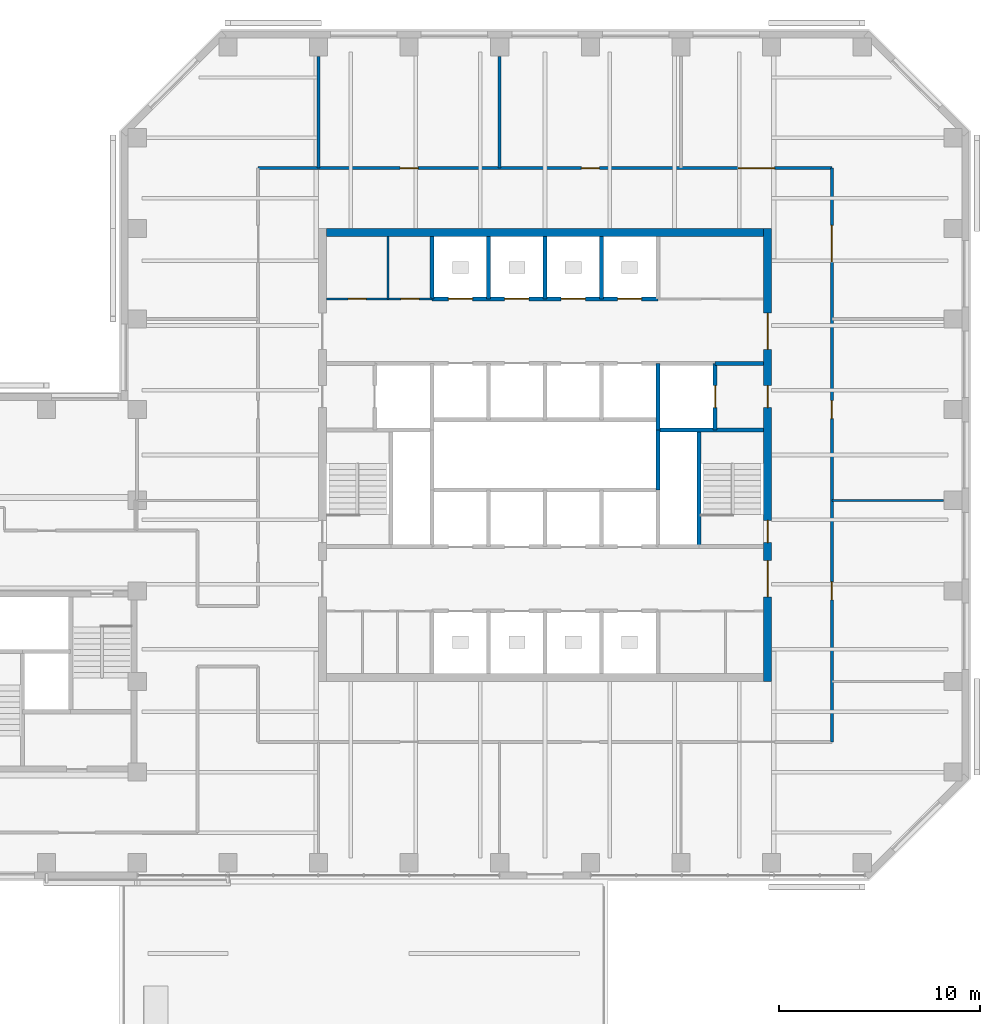
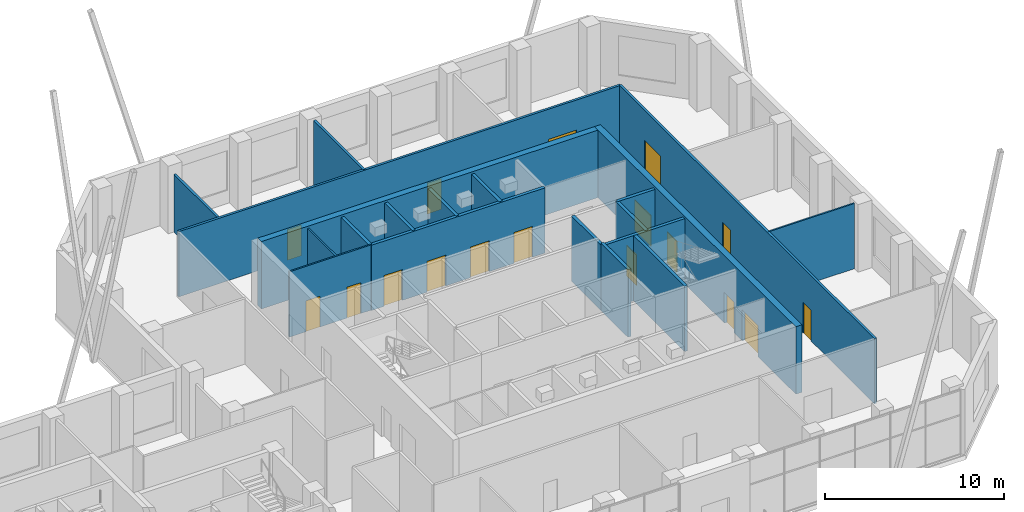
# One storey, part 10 of 14: 20 walls, 17 doors, 17 openings.
"""IFC4 building model written with IfcOpenShell, lengths in metres."""

from ifc_helpers import new_model, si_unit, direction, frame, frame_2d, origin, place, context, subcontext, project, spatial, rectangle, extrude, material, layer, layer_set, type_object, element, fill, save


model = new_model("IFC4")

# Units and contexts
model_context = context("Model", 3, precision=1e-05, world=origin(), true_north=direction((0.0, 1.0)))
body_context = subcontext(model_context, "Body", "Model", "MODEL_VIEW")
ifc_project = project(units=[si_unit("LENGTHUNIT", "METRE"), si_unit("AREAUNIT", "SQUARE_METRE"), si_unit("VOLUMEUNIT", "CUBIC_METRE"), si_unit("PLANEANGLEUNIT", "RADIAN"), si_unit("MASSUNIT", "GRAM", prefix="KILO")], contexts=[model_context])

# Site, building, storey
site_placement = place(None, origin())
site = spatial("IfcSite", under=ifc_project, at=site_placement, CompositionType="ELEMENT")
building_placement = place(site_placement, origin())
building = spatial("IfcBuilding", under=site, at=building_placement, Name="Quoin Convention Tower", CompositionType="ELEMENT")
storey_placement = place(building_placement, frame((0.0, 0.0, 143.10009765625)))
storey = spatial("IfcBuildingStorey", under=building, at=storey_placement, Name="L37", CompositionType="ELEMENT", Elevation=143.10009765625)

# Wall, openings, doors
ifc_material_1 = material(Name="Plasterboard")
ifc_layer_1 = layer(ifc_material_1, 0.012451171875, Name="Finish")
ifc_material_2 = material(Name="Steel stud framing", Category="steel")
ifc_layer_2 = layer(ifc_material_2, 0.074951171875, Name="Structure")
ifc_layer_3 = layer(ifc_material_1, 0.012451171875, Name="Finish")
ifc_layer_set_1 = layer_set([ifc_layer_1, ifc_layer_2, ifc_layer_3], Name="Steel stud framing")
wall_type_1 = type_object("IfcWallType", Name="Core partition wall", PredefinedType="PARTITIONING", material=ifc_layer_set_1)
wall_1_placement = place(storey_placement, frame((45.39990234375, 68.5, 0.0), z_axis=(0.0, 0.0, 1.0), x_axis=(1.0, 0.0, 0.0)))
wall_1 = element("IfcWall", 1, at=wall_1_placement, inside=storey, type_object=wall_type_1, Name="cr-C1-L37-h19000_400", PredefinedType="PARTITIONING", context=body_context, shape_type="SweptSolid", body=[
    extrude(rectangle(XDim=5.25, YDim=0.10009765625, at=frame_2d((2.625, 0.0))), origin(), (0.0, 0.0, 1.0), 4.449951171875),
])
opening_1_placement = place(wall_1_placement, frame((1.072509765625, 0.0, 0.0)))
opening_1 = element("IfcOpeningElement", 2, at=opening_1_placement, cuts=wall_1, Name="Opening DCV1-05", PredefinedType="OPENING", context=body_context, shape_type="SweptSolid", body=[
    extrude(rectangle(XDim=0.89990234375, YDim=2.10009765625, at=frame_2d((0.449951171875, 1.050048828125))), frame((0.0, 0.06005859375, 0.0), z_axis=(0.0, -1.0, 0.0), x_axis=(1.0, 0.0, 0.0)), (0.0, 0.0, 1.0), 0.1201171875),
])
opening_2_placement = place(wall_1_placement, frame((3.697509765625, 0.0, 0.0)))
opening_2 = element("IfcOpeningElement", 3, at=opening_2_placement, cuts=wall_1, Name="Opening DCV1-06", PredefinedType="OPENING", context=body_context, shape_type="SweptSolid", body=[
    extrude(rectangle(XDim=0.89990234375, YDim=2.10009765625, at=frame_2d((0.449951171875, 1.050048828125))), frame((0.0, 0.06005859375, 0.0), z_axis=(0.0, -1.0, 0.0), x_axis=(1.0, 0.0, 0.0)), (0.0, 0.0, 1.0), 0.1201171875),
])
ifc_material_3 = material(Name="Steel door leaf", Category="steel")
door_type_1 = type_object("IfcDoorType", Name="Core room door 900 x 2100", OperationType="SINGLE_SWING_LEFT", PredefinedType="DOOR", material=ifc_material_3)
door_1_placement = place(opening_1_placement, origin())
door_1 = element("IfcDoor", 4, at=door_1_placement, inside=storey, type_object=door_type_1, Name="cd-C1-L37-CNW0-lobB-CD3708", OperationType="SINGLE_SWING_RIGHT", OverallHeight=2.10009765625, OverallWidth=0.89990234375, PredefinedType="DOOR", context=body_context, shape_type="SweptSolid", body=[
    extrude(rectangle(XDim=0.89990234375, YDim=2.10009765625, at=frame_2d((0.449951171875, 1.050048828125))), frame((0.0, 0.02490234375, 0.0), z_axis=(0.0, -1.0, 0.0), x_axis=(1.0, 0.0, 0.0)), (0.0, 0.0, 1.0), 0.050048828125),
])
fill(opening_1, door_1)
door_2_placement = place(opening_2_placement, origin())
door_2 = element("IfcDoor", 5, at=door_2_placement, inside=storey, type_object=door_type_1, Name="cd-C1-L37-CNW1-lobB-CD3709", OperationType="SINGLE_SWING_RIGHT", OverallHeight=2.10009765625, OverallWidth=0.89990234375, PredefinedType="DOOR", context=body_context, shape_type="SweptSolid", body=[
    extrude(rectangle(XDim=0.89990234375, YDim=2.10009765625, at=frame_2d((0.449951171875, 1.050048828125))), frame((0.0, 0.02490234375, 0.0), z_axis=(0.0, -1.0, 0.0), x_axis=(1.0, 0.0, 0.0)), (0.0, 0.0, 1.0), 0.050048828125),
])
fill(opening_2, door_2)

# Walls
wall_2_placement = place(storey_placement, frame((48.445068359375, 68.5, 0.0), z_axis=(0.0, 0.0, 1.0), x_axis=(0.0, 1.0, 0.0)))
element("IfcWall", 6, at=wall_2_placement, inside=storey, type_object=wall_type_1, Name="cr-C1-L37-v3445_19000", PredefinedType="PARTITIONING", context=body_context, shape_type="SweptSolid", body=[
    extrude(rectangle(XDim=3.10009765625, YDim=0.10009765625, at=frame_2d((1.550048828125, 0.0))), origin(), (0.0, 0.0, 1.0), 4.449951171875),
])
ifc_material_4 = material(Name="Concrete C50", Category="concrete")
ifc_layer_4 = layer(ifc_material_4, 0.199951171875)
ifc_layer_set_2 = layer_set([ifc_layer_4], Name="Concrete C50")
wall_type_2 = type_object("IfcWallType", Name="Core shaft wall", PredefinedType="SOLIDWALL", material=ifc_layer_set_2)
wall_3_placement = place(storey_placement, frame((61.85009765625, 62.0, 0.0), z_axis=(0.0, 0.0, 1.0), x_axis=(1.0, 0.0, 0.0)))
element("IfcWall", 7, at=wall_3_placement, inside=storey, type_object=wall_type_2, Name="cr-C1-L37-h12500_16850", PredefinedType="SOLIDWALL", context=body_context, shape_type="SweptSolid", body=[
    extrude(rectangle(XDim=5.25, YDim=0.199951171875, at=frame_2d((2.625, 0.0))), origin(), (0.0, 0.0, 1.0), 4.449951171875),
])
wall_4_placement = place(storey_placement, frame((64.699951171875, 65.300048828125, 0.0), z_axis=(0.0, 0.0, 1.0), x_axis=(1.0, 0.0, 0.0)))
element("IfcWall", 8, at=wall_4_placement, inside=storey, type_object=wall_type_2, Name="cr-C1-L37-h15800_19700", PredefinedType="SOLIDWALL", context=body_context, shape_type="SweptSolid", body=[
    extrude(rectangle(XDim=2.400146484375, YDim=0.199951171875, at=frame_2d((1.2001953125, 0.0))), origin(), (0.0, 0.0, 1.0), 4.449951171875),
])

# Wall, openings, doors
wall_5_placement = place(storey_placement, frame((50.64990234375, 68.5, 0.0), z_axis=(0.0, 0.0, 1.0), x_axis=(1.0, 0.0, 0.0)))
wall_5 = element("IfcWall", 9, at=wall_5_placement, inside=storey, type_object=wall_type_2, Name="cr-C1-L37-h19000_5650", PredefinedType="SOLIDWALL", context=body_context, shape_type="SweptSolid", body=[
    extrude(rectangle(XDim=11.2001953125, YDim=0.199951171875, at=frame_2d((5.60009765625, 0.0))), origin(), (0.0, 0.0, 1.0), 4.449951171875),
])
opening_3_placement = place(wall_5_placement, frame((0.800048828125, 0.0, 0.0)))
opening_3 = element("IfcOpeningElement", 10, at=opening_3_placement, cuts=wall_5, Name="Opening LDL5", PredefinedType="OPENING", context=body_context, shape_type="SweptSolid", body=[
    extrude(rectangle(XDim=1.199951171875, YDim=2.10009765625, at=frame_2d((0.60009765625, 1.050048828125))), frame((0.0, 0.10986328125, 0.0), z_axis=(0.0, -1.0, 0.0), x_axis=(1.0, 0.0, 0.0)), (0.0, 0.0, 1.0), 0.219970703125),
])
opening_4_placement = place(wall_5_placement, frame((3.60009765625, 0.0, 0.0)))
opening_4 = element("IfcOpeningElement", 11, at=opening_4_placement, cuts=wall_5, Name="Opening LDL6", PredefinedType="OPENING", context=body_context, shape_type="SweptSolid", body=[
    extrude(rectangle(XDim=1.199951171875, YDim=2.10009765625, at=frame_2d((0.60009765625, 1.050048828125))), frame((0.0, 0.10986328125, 0.0), z_axis=(0.0, -1.0, 0.0), x_axis=(1.0, 0.0, 0.0)), (0.0, 0.0, 1.0), 0.219970703125),
])
opening_5_placement = place(wall_5_placement, frame((6.39990234375, 0.0, 0.0)))
opening_5 = element("IfcOpeningElement", 12, at=opening_5_placement, cuts=wall_5, Name="Opening LDL7", PredefinedType="OPENING", context=body_context, shape_type="SweptSolid", body=[
    extrude(rectangle(XDim=1.199951171875, YDim=2.10009765625, at=frame_2d((0.60009765625, 1.050048828125))), frame((0.0, 0.10986328125, 0.0), z_axis=(0.0, -1.0, 0.0), x_axis=(1.0, 0.0, 0.0)), (0.0, 0.0, 1.0), 0.219970703125),
])
opening_6_placement = place(wall_5_placement, frame((9.199951171875, 0.0, 0.0)))
opening_6 = element("IfcOpeningElement", 13, at=opening_6_placement, cuts=wall_5, Name="Opening LDL8", PredefinedType="OPENING", context=body_context, shape_type="SweptSolid", body=[
    extrude(rectangle(XDim=1.199951171875, YDim=2.10009765625, at=frame_2d((0.60009765625, 1.050048828125))), frame((0.0, 0.10986328125, 0.0), z_axis=(0.0, -1.0, 0.0), x_axis=(1.0, 0.0, 0.0)), (0.0, 0.0, 1.0), 0.219970703125),
])
door_type_2 = type_object("IfcDoorType", Name="Lift landing door 1200 x 2100", OperationType="DOUBLE_DOOR_SLIDING", PredefinedType="DOOR", material=ifc_material_3)
door_3_placement = place(opening_3_placement, origin())
door_3 = element("IfcDoor", 14, at=door_3_placement, inside=storey, type_object=door_type_2, Name="cd-C1-L37-R40-lobB-LDL5", OperationType="DOUBLE_DOOR_SLIDING", OverallHeight=2.10009765625, OverallWidth=1.199951171875, PredefinedType="DOOR", context=body_context, shape_type="SweptSolid", body=[
    extrude(rectangle(XDim=1.199951171875, YDim=2.10009765625, at=frame_2d((0.60009765625, 1.050048828125))), frame((0.0, 0.02490234375, 0.0), z_axis=(0.0, -1.0, 0.0), x_axis=(1.0, 0.0, 0.0)), (0.0, 0.0, 1.0), 0.050048828125),
])
fill(opening_3, door_3)
door_4_placement = place(opening_4_placement, origin())
door_4 = element("IfcDoor", 15, at=door_4_placement, inside=storey, type_object=door_type_2, Name="cd-C1-L37-R41-lobB-LDL6", OperationType="DOUBLE_DOOR_SLIDING", OverallHeight=2.10009765625, OverallWidth=1.199951171875, PredefinedType="DOOR", context=body_context, shape_type="SweptSolid", body=[
    extrude(rectangle(XDim=1.199951171875, YDim=2.10009765625, at=frame_2d((0.60009765625, 1.050048828125))), frame((0.0, 0.02490234375, 0.0), z_axis=(0.0, -1.0, 0.0), x_axis=(1.0, 0.0, 0.0)), (0.0, 0.0, 1.0), 0.050048828125),
])
fill(opening_4, door_4)
door_5_placement = place(opening_5_placement, origin())
door_5 = element("IfcDoor", 16, at=door_5_placement, inside=storey, type_object=door_type_2, Name="cd-C1-L37-R42-lobB-LDL7", OperationType="DOUBLE_DOOR_SLIDING", OverallHeight=2.10009765625, OverallWidth=1.199951171875, PredefinedType="DOOR", context=body_context, shape_type="SweptSolid", body=[
    extrude(rectangle(XDim=1.199951171875, YDim=2.10009765625, at=frame_2d((0.60009765625, 1.050048828125))), frame((0.0, 0.02490234375, 0.0), z_axis=(0.0, -1.0, 0.0), x_axis=(1.0, 0.0, 0.0)), (0.0, 0.0, 1.0), 0.050048828125),
])
fill(opening_5, door_5)
door_6_placement = place(opening_6_placement, origin())
door_6 = element("IfcDoor", 17, at=door_6_placement, inside=storey, type_object=door_type_2, Name="cd-C1-L37-R43-lobB-LDL8", OperationType="DOUBLE_DOOR_SLIDING", OverallHeight=2.10009765625, OverallWidth=1.199951171875, PredefinedType="DOOR", context=body_context, shape_type="SweptSolid", body=[
    extrude(rectangle(XDim=1.199951171875, YDim=2.10009765625, at=frame_2d((0.60009765625, 1.050048828125))), frame((0.0, 0.02490234375, 0.0), z_axis=(0.0, -1.0, 0.0), x_axis=(1.0, 0.0, 0.0)), (0.0, 0.0, 1.0), 0.050048828125),
])
fill(opening_6, door_6)

# Walls
for number, where, z_axis, x_axis, name in (
    (18, (50.64990234375, 68.5, 0.0), (0.0, 0.0, 1.0), (0.0, 1.0, 0.0), "cr-C1-L37-v5650_19000"),
    (19, (53.449951171875, 68.5, 0.0), (0.0, 0.0, 1.0), (0.0, 1.0, 0.0), "cr-C1-L37-v8450_19000"),
    (20, (56.25, 68.5, 0.0), (0.0, 0.0, 1.0), (0.0, 1.0, 0.0), "cr-C1-L37-v11250_19000"),
    (21, (59.050048828125, 68.5, 0.0), (0.0, 0.0, 1.0), (0.0, 1.0, 0.0), "cr-C1-L37-v14050_19000"),
):
    element("IfcWall", number, at=place(storey_placement, frame(where, z_axis=z_axis, x_axis=x_axis)), inside=storey, type_object=wall_type_2, Name=name, PredefinedType="SOLIDWALL", context=body_context, shape_type="SweptSolid", body=[
        extrude(rectangle(XDim=3.10009765625, YDim=0.199951171875, at=frame_2d((1.550048828125, 0.0))), origin(), (0.0, 0.0, 1.0), 4.449951171875),
    ])
wall_6_placement = place(storey_placement, frame((61.85009765625, 62.0, 0.0), z_axis=(0.0, 0.0, 1.0), x_axis=(0.0, 1.0, 0.0)))
element("IfcWall", 22, at=wall_6_placement, inside=storey, type_object=wall_type_2, Name="cr-C1-L37-v16850_12500", PredefinedType="SOLIDWALL", context=body_context, shape_type="SweptSolid", body=[
    extrude(rectangle(XDim=3.300048828125, YDim=0.199951171875, at=frame_2d((1.64990234375, 0.0))), origin(), (0.0, 0.0, 1.0), 4.449951171875),
])
wall_7_placement = place(storey_placement, frame((63.89990234375, 56.199951171875, 0.0), z_axis=(0.0, 0.0, 1.0), x_axis=(0.0, 1.0, 0.0)))
element("IfcWall", 23, at=wall_7_placement, inside=storey, type_object=wall_type_2, Name="cr-C1-L37-v18900_6700", PredefinedType="SOLIDWALL", context=body_context, shape_type="SweptSolid", body=[
    extrude(rectangle(XDim=5.800048828125, YDim=0.199951171875, at=frame_2d((2.89990234375, 0.0))), origin(), (0.0, 0.0, 1.0), 4.449951171875),
])

# Wall, opening, door
wall_8_placement = place(storey_placement, frame((64.699951171875, 62.0, 0.0), z_axis=(0.0, 0.0, 1.0), x_axis=(0.0, 1.0, 0.0)))
wall_8 = element("IfcWall", 24, at=wall_8_placement, inside=storey, type_object=wall_type_2, Name="cr-C1-L37-v19700_12500", PredefinedType="SOLIDWALL", context=body_context, shape_type="SweptSolid", body=[
    extrude(rectangle(XDim=3.300048828125, YDim=0.199951171875, at=frame_2d((1.64990234375, 0.0))), origin(), (0.0, 0.0, 1.0), 4.449951171875),
])
opening_7_placement = place(wall_8_placement, frame((1.10009765625, 0.0, 0.0)))
opening_7 = element("IfcOpeningElement", 25, at=opening_7_placement, cuts=wall_8, Name="Opening LDFL2", PredefinedType="OPENING", context=body_context, shape_type="SweptSolid", body=[
    extrude(rectangle(XDim=1.10009765625, YDim=2.10009765625, at=frame_2d((0.550048828125, 1.050048828125))), frame((0.0, 0.10986328125, 0.0), z_axis=(0.0, -1.0, 0.0), x_axis=(1.0, 0.0, 0.0)), (0.0, 0.0, 1.0), 0.219970703125),
])
door_type_3 = type_object("IfcDoorType", Name="Lift landing door 1100 x 2100", OperationType="DOUBLE_DOOR_SLIDING", PredefinedType="DOOR", material=ifc_material_3)
door_7_placement = place(opening_7_placement, origin())
door_7 = element("IfcDoor", 26, at=door_7_placement, inside=storey, type_object=door_type_3, Name="cd-C1-L37-FLE-FFE-LDFL2", OperationType="DOUBLE_DOOR_SLIDING", OverallHeight=2.10009765625, OverallWidth=1.10009765625, PredefinedType="DOOR", context=body_context, shape_type="SweptSolid", body=[
    extrude(rectangle(XDim=1.10009765625, YDim=2.10009765625, at=frame_2d((0.550048828125, 1.050048828125))), frame((0.0, 0.02490234375, 0.0), z_axis=(0.0, -1.0, 0.0), x_axis=(1.0, 0.0, 0.0)), (0.0, 0.0, 1.0), 0.050048828125),
])
fill(opening_7, door_7)

# Walls
ifc_layer_5 = layer(ifc_material_4, 0.199951171875)
ifc_layer_set_3 = layer_set([ifc_layer_5], Name="Concrete C50")
wall_type_3 = type_object("IfcWallType", Name="Core shaft wall to the floor level over", PredefinedType="SOLIDWALL", material=ifc_layer_set_3)
wall_9_placement = place(storey_placement, frame((61.85009765625, 59.0, 0.0), z_axis=(0.0, 0.0, 1.0), x_axis=(0.0, 1.0, 0.0)))
element("IfcWall", 27, at=wall_9_placement, inside=storey, type_object=wall_type_3, Name="cr-C1-L37-v16850_9500", PredefinedType="SOLIDWALL", context=body_context, shape_type="SweptSolid", body=[
    extrude(rectangle(XDim=3.0, YDim=0.199951171875, at=frame_2d((1.5, 0.0))), origin(), (0.0, 0.0, 1.0), 4.599853515625),
])
ifc_layer_6 = layer(ifc_material_4, 0.39990234375)
ifc_layer_set_4 = layer_set([ifc_layer_6], Name="Concrete C50")
wall_type_4 = type_object("IfcWallType", Name="RC CORE WALL 400 C50", PredefinedType="SHEAR", material=ifc_layer_set_4)
wall_10_placement = place(storey_placement, frame((45.39990234375, 71.800048828125, 0.0), z_axis=(0.0, 0.0, 1.0), x_axis=(1.0, 0.0, 0.0)))
element("IfcWall", 28, at=wall_10_placement, inside=storey, type_object=wall_type_4, Name="cwl-C1-L37-N", PredefinedType="SHEAR", context=body_context, shape_type="SweptSolid", body=[
    extrude(rectangle(XDim=21.7001953125, YDim=0.39990234375, at=frame_2d((10.85009765625, 0.0))), origin(), (0.0, 0.0, 1.0), 4.599853515625),
])

# Wall, openings, doors
wall_11_placement = place(storey_placement, frame((67.300048828125, 49.5, 0.0), z_axis=(0.0, 0.0, 1.0), x_axis=(0.0, 1.0, 0.0)))
wall_11 = element("IfcWall", 29, at=wall_11_placement, inside=storey, type_object=wall_type_4, Name="cwl-C1-L37-E", PredefinedType="SHEAR", context=body_context, shape_type="SweptSolid", body=[
    extrude(rectangle(XDim=22.5, YDim=0.39990234375, at=frame_2d((11.25, 0.0))), origin(), (0.0, 0.0, 1.0), 4.599853515625),
])
opening_8_placement = place(wall_11_placement, frame((4.199951171875, 0.0, 0.0)))
opening_8 = element("IfcOpeningElement", 30, at=opening_8_placement, cuts=wall_11, Name="Opening DCV1-47", PredefinedType="OPENING", context=body_context, shape_type="SweptSolid", body=[
    extrude(rectangle(XDim=1.800048828125, YDim=2.10009765625, at=frame_2d((0.89990234375, 1.050048828125))), frame((0.0, 0.2099609375, 0.0), z_axis=(0.0, -1.0, 0.0), x_axis=(1.0, 0.0, 0.0)), (0.0, 0.0, 1.0), 0.419921875),
])
opening_9_placement = place(wall_11_placement, frame((6.89990234375, 0.0, 0.0)))
opening_9 = element("IfcOpeningElement", 31, at=opening_9_placement, cuts=wall_11, Name="Opening SD2", PredefinedType="OPENING", context=body_context, shape_type="SweptSolid", body=[
    extrude(rectangle(XDim=1.10009765625, YDim=2.10009765625, at=frame_2d((0.550048828125, 1.050048828125))), frame((0.0, 0.2099609375, 0.0), z_axis=(0.0, -1.0, 0.0), x_axis=(1.0, 0.0, 0.0)), (0.0, 0.0, 1.0), 0.419921875),
])
opening_10_placement = place(wall_11_placement, frame((13.60009765625, 0.0, 0.0)))
opening_10 = element("IfcOpeningElement", 32, at=opening_10_placement, cuts=wall_11, Name="Opening DCV1-46", PredefinedType="OPENING", context=body_context, shape_type="SweptSolid", body=[
    extrude(rectangle(XDim=1.10009765625, YDim=2.10009765625, at=frame_2d((0.550048828125, 1.050048828125))), frame((0.0, 0.2099609375, 0.0), z_axis=(0.0, -1.0, 0.0), x_axis=(1.0, 0.0, 0.0)), (0.0, 0.0, 1.0), 0.419921875),
])
opening_11_placement = place(wall_11_placement, frame((16.5, 0.0, 0.0)))
opening_11 = element("IfcOpeningElement", 33, at=opening_11_placement, cuts=wall_11, Name="Opening DCV1-47", PredefinedType="OPENING", context=body_context, shape_type="SweptSolid", body=[
    extrude(rectangle(XDim=1.800048828125, YDim=2.10009765625, at=frame_2d((0.89990234375, 1.050048828125))), frame((0.0, 0.2099609375, 0.0), z_axis=(0.0, -1.0, 0.0), x_axis=(1.0, 0.0, 0.0)), (0.0, 0.0, 1.0), 0.419921875),
])
door_type_4 = type_object("IfcDoorType", Name="Fire-fighting lobby door 1100 x 2100", OperationType="SINGLE_SWING_LEFT", PredefinedType="DOOR", material=ifc_material_3)
door_8_placement = place(opening_10_placement, origin())
door_8 = element("IfcDoor", 34, at=door_8_placement, inside=storey, type_object=door_type_4, Name="cd-C1-L37-FFE-E", OperationType="SINGLE_SWING_RIGHT", OverallHeight=2.10009765625, OverallWidth=1.10009765625, PredefinedType="DOOR", context=body_context, shape_type="SweptSolid", body=[
    extrude(rectangle(XDim=1.10009765625, YDim=2.10009765625, at=frame_2d((0.550048828125, 1.050048828125))), frame((0.0, 0.02490234375, 0.0), z_axis=(0.0, -1.0, 0.0), x_axis=(1.0, 0.0, 0.0)), (0.0, 0.0, 1.0), 0.050048828125),
])
fill(opening_10, door_8)
door_type_5 = type_object("IfcDoorType", Name="Lift lobby door 1800 x 2100", OperationType="SINGLE_SWING_LEFT", PredefinedType="DOOR", material=ifc_material_3)
door_9_placement = place(opening_8_placement, origin())
door_9 = element("IfcDoor", 35, at=door_9_placement, inside=storey, type_object=door_type_5, Name="cd-C1-L37-lobA-E", OperationType="SINGLE_SWING_RIGHT", OverallHeight=2.10009765625, OverallWidth=1.800048828125, PredefinedType="DOOR", context=body_context, shape_type="SweptSolid", body=[
    extrude(rectangle(XDim=1.800048828125, YDim=2.10009765625, at=frame_2d((0.89990234375, 1.050048828125))), frame((0.0, 0.02490234375, 0.0), z_axis=(0.0, -1.0, 0.0), x_axis=(1.0, 0.0, 0.0)), (0.0, 0.0, 1.0), 0.050048828125),
])
fill(opening_8, door_9)
door_10_placement = place(opening_11_placement, origin())
door_10 = element("IfcDoor", 36, at=door_10_placement, inside=storey, type_object=door_type_5, Name="cd-C1-L37-lobB-E", OperationType="SINGLE_SWING_RIGHT", OverallHeight=2.10009765625, OverallWidth=1.800048828125, PredefinedType="DOOR", context=body_context, shape_type="SweptSolid", body=[
    extrude(rectangle(XDim=1.800048828125, YDim=2.10009765625, at=frame_2d((0.89990234375, 1.050048828125))), frame((0.0, 0.02490234375, 0.0), z_axis=(0.0, -1.0, 0.0), x_axis=(1.0, 0.0, 0.0)), (0.0, 0.0, 1.0), 0.050048828125),
])
fill(opening_11, door_10)
door_type_6 = type_object("IfcDoorType", Name="Stair door 1100 x 2100", OperationType="SINGLE_SWING_RIGHT", PredefinedType="DOOR", material=ifc_material_3)
door_11_placement = place(opening_9_placement, origin())
door_11 = element("IfcDoor", 37, at=door_11_placement, inside=storey, type_object=door_type_6, Name="cd-C1-L37-STE-E", OperationType="SINGLE_SWING_LEFT", OverallHeight=2.10009765625, OverallWidth=1.10009765625, PredefinedType="DOOR", context=body_context, shape_type="SweptSolid", body=[
    extrude(rectangle(XDim=1.10009765625, YDim=2.10009765625, at=frame_2d((0.550048828125, 1.050048828125))), frame((0.0, 0.02490234375, 0.0), z_axis=(0.0, -1.0, 0.0), x_axis=(1.0, 0.0, 0.0)), (0.0, 0.0, 1.0), 0.050048828125),
])
fill(opening_9, door_11)

# Wall
ifc_layer_7 = layer(ifc_material_1, 0.012451171875, Name="Finish")
ifc_layer_8 = layer(ifc_material_2, 0.074951171875, Name="Structure")
ifc_layer_9 = layer(ifc_material_1, 0.012451171875, Name="Finish")
ifc_layer_set_5 = layer_set([ifc_layer_7, ifc_layer_8, ifc_layer_9], Name="Steel stud framing")
wall_type_5 = type_object("IfcWallType", Name="bathroom partition", PredefinedType="PARTITIONING", material=ifc_layer_set_5)
wall_12_placement = place(storey_placement, frame((70.5, 58.5, 0.0), z_axis=(0.0, 0.0, 1.0), x_axis=(1.0, 0.0, 0.0)))
element("IfcWall", 38, at=wall_12_placement, inside=storey, type_object=wall_type_5, Name="pw-L37-007", PredefinedType="PARTITIONING", context=body_context, shape_type="SweptSolid", body=[
    extrude(rectangle(XDim=5.550048828125, YDim=0.10009765625, at=frame_2d((2.77490234375, 0.0))), origin(), (0.0, 0.0, 1.0), 4.449951171875),
])

# Wall, openings, doors
ifc_layer_10 = layer(ifc_material_1, 0.012451171875, Name="Finish")
ifc_layer_11 = layer(ifc_material_2, 0.125, Name="Structure")
ifc_layer_12 = layer(ifc_material_1, 0.012451171875, Name="Finish")
ifc_layer_set_6 = layer_set([ifc_layer_10, ifc_layer_11, ifc_layer_12], Name="Steel stud framing")
wall_type_6 = type_object("IfcWallType", Name="corridor partition", PredefinedType="PARTITIONING", material=ifc_layer_set_6)
wall_13_placement = place(storey_placement, frame((70.5, 46.5, 0.0), z_axis=(0.0, 0.0, 1.0), x_axis=(0.0, 1.0, 0.0)))
wall_13 = element("IfcWall", 39, at=wall_13_placement, inside=storey, type_object=wall_type_6, Name="pw-L37-013", PredefinedType="PARTITIONING", context=body_context, shape_type="SweptSolid", body=[
    extrude(rectangle(XDim=28.5, YDim=0.14990234375, at=frame_2d((14.25, 0.0))), origin(), (0.0, 0.0, 1.0), 4.449951171875),
])
opening_12_placement = place(wall_13_placement, frame((7.050048828125, 0.0, 0.0)))
opening_12 = element("IfcOpeningElement", 40, at=opening_12_placement, cuts=wall_13, Name="Opening DSKY-37-06", PredefinedType="OPENING", context=body_context, shape_type="SweptSolid", body=[
    extrude(rectangle(XDim=0.89990234375, YDim=2.10009765625, at=frame_2d((0.449951171875, 1.050048828125))), frame((0.0, 0.0849609375, 0.0), z_axis=(0.0, -1.0, 0.0), x_axis=(1.0, 0.0, 0.0)), (0.0, 0.0, 1.0), 0.169921875),
])
opening_13_placement = place(wall_13_placement, frame((16.050048828125, 0.0, 0.0)))
opening_13 = element("IfcOpeningElement", 41, at=opening_13_placement, cuts=wall_13, Name="Opening DSKY-37-07", PredefinedType="OPENING", context=body_context, shape_type="SweptSolid", body=[
    extrude(rectangle(XDim=0.89990234375, YDim=2.10009765625, at=frame_2d((0.449951171875, 1.050048828125))), frame((0.0, 0.0849609375, 0.0), z_axis=(0.0, -1.0, 0.0), x_axis=(1.0, 0.0, 0.0)), (0.0, 0.0, 1.0), 0.169921875),
])
opening_14_placement = place(wall_13_placement, frame((23.85009765625, 0.0, 0.0)))
opening_14 = element("IfcOpeningElement", 42, at=opening_14_placement, cuts=wall_13, Name="Opening DSKY-37-08", PredefinedType="OPENING", context=body_context, shape_type="SweptSolid", body=[
    extrude(rectangle(XDim=1.800048828125, YDim=2.39990234375, at=frame_2d((0.89990234375, 1.199951171875))), frame((0.0, 0.0849609375, 0.0), z_axis=(0.0, -1.0, 0.0), x_axis=(1.0, 0.0, 0.0)), (0.0, 0.0, 1.0), 0.169921875),
])
door_type_7 = type_object("IfcDoorType", Name="Glazed double door", OperationType="DOUBLE_DOOR_SINGLE_SWING", PredefinedType="DOOR", material=ifc_material_3)
door_12_placement = place(opening_14_placement, frame((1.800048828125, 0.0, 0.0), z_axis=(0.0, 0.0, 1.0), x_axis=(-1.0, 0.0, 0.0)))
door_12 = element("IfcDoor", 43, at=door_12_placement, inside=storey, type_object=door_type_7, Name="dr-L37-014", OperationType="DOUBLE_DOOR_SINGLE_SWING", OverallHeight=2.39990234375, OverallWidth=1.800048828125, PredefinedType="DOOR", context=body_context, shape_type="SweptSolid", body=[
    extrude(rectangle(XDim=1.800048828125, YDim=2.39990234375, at=frame_2d((0.89990234375, 1.199951171875))), frame((0.0, 0.02490234375, 0.0), z_axis=(0.0, -1.0, 0.0), x_axis=(1.0, 0.0, 0.0)), (0.0, 0.0, 1.0), 0.050048828125),
])
fill(opening_14, door_12)
door_type_8 = type_object("IfcDoorType", Name="Service room door", OperationType="SINGLE_SWING_LEFT", PredefinedType="DOOR", material=ifc_material_3)
door_13_placement = place(opening_13_placement, frame((0.89990234375, 0.0, 0.0), z_axis=(0.0, 0.0, 1.0), x_axis=(-1.0, 0.0, 0.0)))
door_13 = element("IfcDoor", 44, at=door_13_placement, inside=storey, type_object=door_type_8, Name="dr-L37-012", OperationType="SINGLE_SWING_LEFT", OverallHeight=2.10009765625, OverallWidth=0.89990234375, PredefinedType="DOOR", context=body_context, shape_type="SweptSolid", body=[
    extrude(rectangle(XDim=0.89990234375, YDim=2.10009765625, at=frame_2d((0.449951171875, 1.050048828125))), frame((0.0, 0.02490234375, 0.0), z_axis=(0.0, -1.0, 0.0), x_axis=(1.0, 0.0, 0.0)), (0.0, 0.0, 1.0), 0.050048828125),
])
fill(opening_13, door_13)
door_type_9 = type_object("IfcDoorType", Name="Toilet door", OperationType="SINGLE_SWING_LEFT", PredefinedType="DOOR", material=ifc_material_3)
door_14_placement = place(opening_12_placement, frame((0.89990234375, 0.0, 0.0), z_axis=(0.0, 0.0, 1.0), x_axis=(-1.0, 0.0, 0.0)))
door_14 = element("IfcDoor", 45, at=door_14_placement, inside=storey, type_object=door_type_9, Name="dr-L37-006", OperationType="SINGLE_SWING_LEFT", OverallHeight=2.10009765625, OverallWidth=0.89990234375, PredefinedType="DOOR", context=body_context, shape_type="SweptSolid", body=[
    extrude(rectangle(XDim=0.89990234375, YDim=2.10009765625, at=frame_2d((0.449951171875, 1.050048828125))), frame((0.0, 0.02490234375, 0.0), z_axis=(0.0, -1.0, 0.0), x_axis=(1.0, 0.0, 0.0)), (0.0, 0.0, 1.0), 0.050048828125),
])
fill(opening_12, door_14)

wall_14_placement = place(storey_placement, frame((42.0, 75.0, 0.0), z_axis=(0.0, 0.0, 1.0), x_axis=(1.0, 0.0, 0.0)))
wall_14 = element("IfcWall", 46, at=wall_14_placement, inside=storey, type_object=wall_type_6, Name="pw-L37-019", PredefinedType="PARTITIONING", context=body_context, shape_type="SweptSolid", body=[
    extrude(rectangle(XDim=28.5, YDim=0.14990234375, at=frame_2d((14.25, 0.0))), origin(), (0.0, 0.0, 1.0), 4.449951171875),
])
opening_15_placement = place(wall_14_placement, frame((23.85009765625, 0.0, 0.0)))
opening_15 = element("IfcOpeningElement", 47, at=opening_15_placement, cuts=wall_14, Name="Opening DSKY-37-15", PredefinedType="OPENING", context=body_context, shape_type="SweptSolid", body=[
    extrude(rectangle(XDim=1.800048828125, YDim=2.39990234375, at=frame_2d((0.89990234375, 1.199951171875))), frame((0.0, 0.0849609375, 0.0), z_axis=(0.0, -1.0, 0.0), x_axis=(1.0, 0.0, 0.0)), (0.0, 0.0, 1.0), 0.169921875),
])
opening_16_placement = place(wall_14_placement, frame((7.050048828125, 0.0, 0.0)))
opening_16 = element("IfcOpeningElement", 48, at=opening_16_placement, cuts=wall_14, Name="Opening DSKY-37-13", PredefinedType="OPENING", context=body_context, shape_type="SweptSolid", body=[
    extrude(rectangle(XDim=0.89990234375, YDim=2.10009765625, at=frame_2d((0.449951171875, 1.050048828125))), frame((0.0, 0.0849609375, 0.0), z_axis=(0.0, -1.0, 0.0), x_axis=(1.0, 0.0, 0.0)), (0.0, 0.0, 1.0), 0.169921875),
])
opening_17_placement = place(wall_14_placement, frame((16.050048828125, 0.0, 0.0)))
opening_17 = element("IfcOpeningElement", 49, at=opening_17_placement, cuts=wall_14, Name="Opening DSKY-37-14", PredefinedType="OPENING", context=body_context, shape_type="SweptSolid", body=[
    extrude(rectangle(XDim=0.89990234375, YDim=2.10009765625, at=frame_2d((0.449951171875, 1.050048828125))), frame((0.0, 0.0849609375, 0.0), z_axis=(0.0, -1.0, 0.0), x_axis=(1.0, 0.0, 0.0)), (0.0, 0.0, 1.0), 0.169921875),
])
door_15_placement = place(opening_15_placement, origin())
door_15 = element("IfcDoor", 50, at=door_15_placement, inside=storey, type_object=door_type_7, Name="dr-L37-015", OperationType="DOUBLE_DOOR_SINGLE_SWING", OverallHeight=2.39990234375, OverallWidth=1.800048828125, PredefinedType="DOOR", context=body_context, shape_type="SweptSolid", body=[
    extrude(rectangle(XDim=1.800048828125, YDim=2.39990234375, at=frame_2d((0.89990234375, 1.199951171875))), frame((0.0, 0.02490234375, 0.0), z_axis=(0.0, -1.0, 0.0), x_axis=(1.0, 0.0, 0.0)), (0.0, 0.0, 1.0), 0.050048828125),
])
fill(opening_15, door_15)
door_16_placement = place(opening_16_placement, origin())
door_16 = element("IfcDoor", 51, at=door_16_placement, inside=storey, type_object=door_type_8, Name="dr-L37-016", OperationType="SINGLE_SWING_RIGHT", OverallHeight=2.10009765625, OverallWidth=0.89990234375, PredefinedType="DOOR", context=body_context, shape_type="SweptSolid", body=[
    extrude(rectangle(XDim=0.89990234375, YDim=2.10009765625, at=frame_2d((0.449951171875, 1.050048828125))), frame((0.0, 0.02490234375, 0.0), z_axis=(0.0, -1.0, 0.0), x_axis=(1.0, 0.0, 0.0)), (0.0, 0.0, 1.0), 0.050048828125),
])
fill(opening_16, door_16)
door_17_placement = place(opening_17_placement, origin())
door_17 = element("IfcDoor", 52, at=door_17_placement, inside=storey, type_object=door_type_8, Name="dr-L37-017", OperationType="SINGLE_SWING_RIGHT", OverallHeight=2.10009765625, OverallWidth=0.89990234375, PredefinedType="DOOR", context=body_context, shape_type="SweptSolid", body=[
    extrude(rectangle(XDim=0.89990234375, YDim=2.10009765625, at=frame_2d((0.449951171875, 1.050048828125))), frame((0.0, 0.02490234375, 0.0), z_axis=(0.0, -1.0, 0.0), x_axis=(1.0, 0.0, 0.0)), (0.0, 0.0, 1.0), 0.050048828125),
])
fill(opening_17, door_17)

# Walls
ifc_layer_13 = layer(ifc_material_1, 0.012451171875, Name="Finish")
ifc_layer_14 = layer(ifc_material_2, 0.125, Name="Structure")
ifc_layer_15 = layer(ifc_material_1, 0.012451171875, Name="Finish")
ifc_layer_set_7 = layer_set([ifc_layer_13, ifc_layer_14, ifc_layer_15], Name="Steel stud framing")
wall_type_7 = type_object("IfcWallType", Name="room partition", PredefinedType="PARTITIONING", material=ifc_layer_set_7)
wall_15_placement = place(storey_placement, frame((54.0, 75.0, 0.0), z_axis=(0.0, 0.0, 1.0), x_axis=(0.0, 1.0, 0.0)))
element("IfcWall", 53, at=wall_15_placement, inside=storey, type_object=wall_type_7, Name="pw-L37-027", PredefinedType="PARTITIONING", context=body_context, shape_type="SweptSolid", body=[
    extrude(rectangle(XDim=5.550048828125, YDim=0.14990234375, at=frame_2d((2.77490234375, 0.0))), origin(), (0.0, 0.0, 1.0), 4.449951171875),
])
ifc_layer_16 = layer(ifc_material_1, 0.012451171875, Name="Finish")
ifc_layer_17 = layer(ifc_material_2, 0.125, Name="Structure")
ifc_layer_18 = layer(ifc_material_1, 0.012451171875, Name="Finish")
ifc_layer_set_8 = layer_set([ifc_layer_16, ifc_layer_17, ifc_layer_18], Name="Steel stud framing")
wall_type_8 = type_object("IfcWallType", Name="room partition under beam 528", PredefinedType="PARTITIONING", material=ifc_layer_set_8)
wall_16_placement = place(storey_placement, frame((45.0, 75.0, 0.0), z_axis=(0.0, 0.0, 1.0), x_axis=(0.0, 1.0, 0.0)))
element("IfcWall", 54, at=wall_16_placement, inside=storey, type_object=wall_type_8, Name="pw-L37-026", PredefinedType="PARTITIONING", context=body_context, shape_type="SweptSolid", body=[
    extrude(rectangle(XDim=5.550048828125, YDim=0.14990234375, at=frame_2d((2.77490234375, 0.0))), origin(), (0.0, 0.0, 1.0), 3.921875),
])

save(model, "model.ifc")
